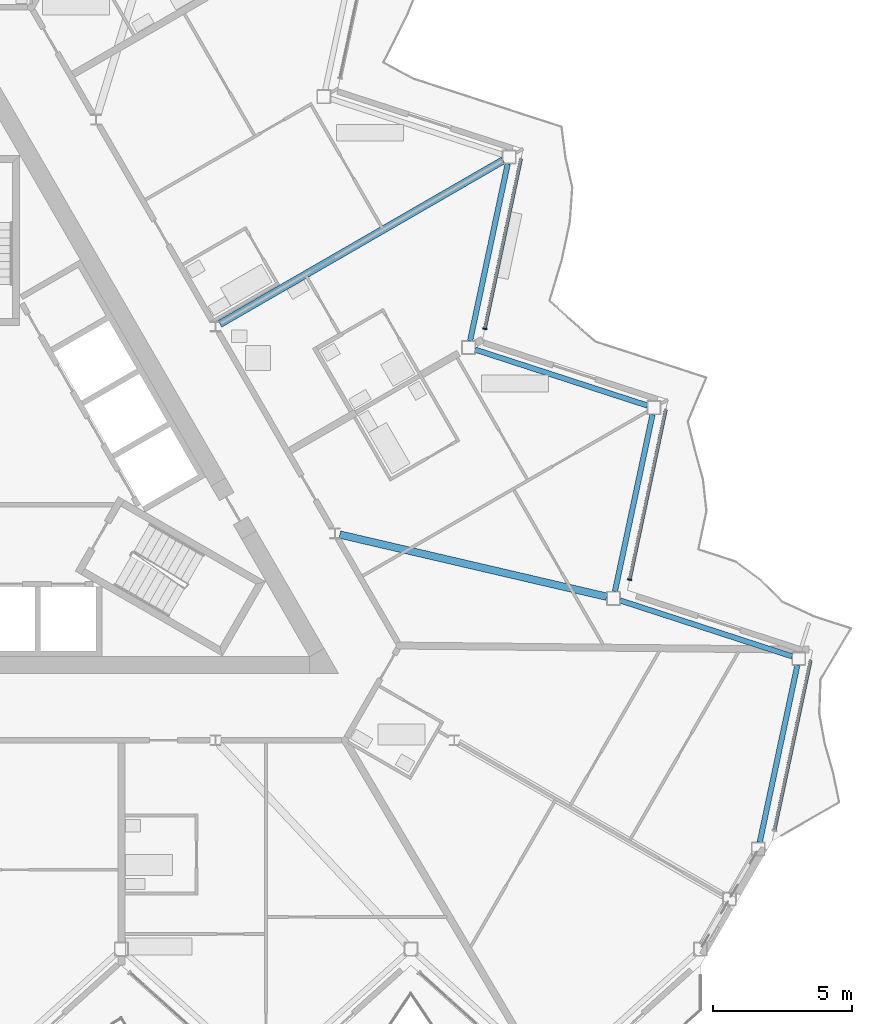
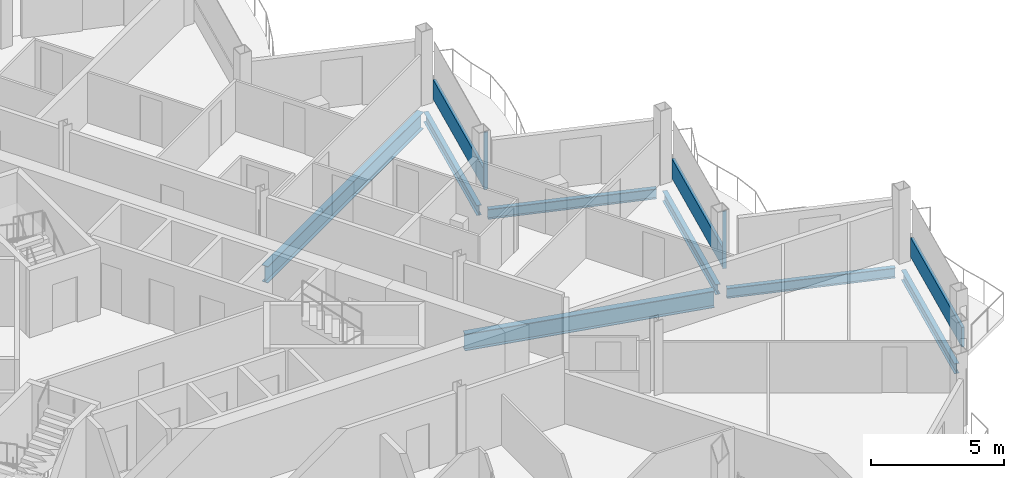
# One storey, part 8 of 26: 7 beams, 5 members, 3 elements without a shape of their own.
"""IFC4 building model written with IfcOpenShell, lengths in metres."""

from ifc_helpers import new_model, si_unit, direction, frame, origin, origin_2d, place, context, subcontext, project, spatial, rectangle, i_section, extrude, material, layer, layer_set, material_profile, profile_set, type_object, element, aggregate, save


model = new_model("IFC4")

# Units and contexts
model_context = context("Model", 3, precision=1e-05, world=origin(), true_north=direction((0.0, 1.0)))
body_context = subcontext(model_context, "Body", "Model", "MODEL_VIEW")
ifc_project = project(units=[si_unit("LENGTHUNIT", "METRE"), si_unit("AREAUNIT", "SQUARE_METRE"), si_unit("VOLUMEUNIT", "CUBIC_METRE"), si_unit("PLANEANGLEUNIT", "RADIAN"), si_unit("MASSUNIT", "GRAM", prefix="KILO")], contexts=[model_context])

# Site, building, storey
site_placement = place(None, origin())
site = spatial("IfcSite", under=ifc_project, at=site_placement, CompositionType="ELEMENT")
building_placement = place(site_placement, origin())
building = spatial("IfcBuilding", under=site, at=building_placement, Name="Cormorant Prow Tower", CompositionType="ELEMENT")
storey_placement = place(building_placement, frame((0.0, 0.0, 371.199951171875)))
storey = spatial("IfcBuildingStorey", under=building, at=storey_placement, Name="L83", CompositionType="ELEMENT", Elevation=371.199951171875)

# Beams
ifc_material_1 = material(Name="Structural steel ASTM A992 Gr 50", Category="steel")
ifc_material_profile_1 = material_profile(ifc_material_1, i_section(OverallWidth=0.267822265625, OverallDepth=0.77001953125, WebThickness=0.015625, FlangeThickness=0.025390625, at=origin_2d()), Name="W30x132")
ifc_profile_set_1 = profile_set([ifc_material_profile_1], Name="Structural steel ASTM A992 Gr 50")
beam_type_1 = type_object("IfcBeamType", Name="Radial floor beam W30x132", PredefinedType="BEAM", material=ifc_profile_set_1)
beam_1_placement = place(storey_placement, frame((13.0498046875, -2.518798828125, -0.684814453125), z_axis=(0.973926084128, -0.226865560752, 0.0), x_axis=(0.226865560752, 0.973926084128, 0.0)))
element("IfcBeam", 1, at=beam_1_placement, inside=storey, type_object=beam_type_1, Name="Radial floor beam FB3 10 L83", PredefinedType="BEAM", context=body_context, shape_type="SweptSolid", body=[
    extrude(i_section(OverallWidth=0.267822265625, OverallDepth=0.77001953125, WebThickness=0.015625, FlangeThickness=0.025390625, at=origin_2d()), origin(), (0.0, 0.0, 1.0), 9.837158203125),
])
beam_2_placement = place(storey_placement, frame((8.740478515625, 5.04638671875, -0.684814453125), z_axis=(0.866026702285, 0.499997750924, 0.0), x_axis=(-0.499997750924, 0.866026702285, 0.0)))
element("IfcBeam", 2, at=beam_2_placement, inside=storey, type_object=beam_type_1, Name="Radial floor beam FB3 11 L83", PredefinedType="BEAM", context=body_context, shape_type="SweptSolid", body=[
    extrude(i_section(OverallWidth=0.267822265625, OverallDepth=0.77001953125, WebThickness=0.015625, FlangeThickness=0.025390625, at=origin_2d()), origin(), (0.0, 0.0, 1.0), 11.7451171875),
])

# Curtain wall, member
ifc_material_2 = material(Name="Aluminium 6063-T6", Category="aluminium")
ifc_layer = layer(ifc_material_2, 0.159912109375)
ifc_layer_set = layer_set([ifc_layer], Name="Aluminium 6063-T6")
curtain_wall_type = type_object("IfcCurtainWallType", Name="Residential unitised curtain wall 160", PredefinedType="NOTDEFINED", material=ifc_layer_set)
curtain_wall_1_placement = place(storey_placement, origin())
curtain_wall_1 = element("IfcCurtainWall", 3, at=curtain_wall_1_placement, inside=storey, type_object=curtain_wall_type, Name="Residential curtain wall ENE02", PredefinedType="NOTDEFINED")
ifc_material_3 = material(Name="Aluminium 6063-T6", Category="aluminium")
ifc_material_profile_2 = material_profile(ifc_material_3, rectangle(XDim=0.159912109375, YDim=0.050048828125, at=origin_2d()), Name="Residential mullion 50x160")
ifc_profile_set_2 = profile_set([ifc_material_profile_2], Name="Aluminium 6063-T6")
member_type_1 = type_object("IfcMemberType", Name="Residential mullion 50x160", PredefinedType="MULLION", material=ifc_profile_set_2)
member_1_placement = place(storey_placement, frame((23.45556640625, -4.1357421875, 0.0), z_axis=(0.0, 0.0, 1.0), x_axis=(-0.978147609588, 0.207911649162, 0.0)))
member_1 = element("IfcMember", 4, at=member_1_placement, type_object=member_type_1, Name="Residential mullion ENE02", PredefinedType="MULLION", context=body_context, shape_type="SweptSolid", body=[
    extrude(rectangle(XDim=0.159912109375, YDim=0.050048828125, at=origin_2d()), origin(), (0.0, 0.0, 1.0), 2.634033203125),
])

curtain_wall_2_placement = place(storey_placement, origin())
curtain_wall_2 = element("IfcCurtainWall", 5, at=curtain_wall_2_placement, inside=storey, type_object=curtain_wall_type, Name="Residential curtain wall ENE04", PredefinedType="NOTDEFINED")
member_2_placement = place(storey_placement, frame((18.25537109375, 4.870849609375, 0.0), z_axis=(0.0, 0.0, 1.0), x_axis=(-0.978147615768, 0.207911620089, 0.0)))
member_2 = element("IfcMember", 6, at=member_2_placement, type_object=member_type_1, Name="Residential mullion ENE04", PredefinedType="MULLION", context=body_context, shape_type="SweptSolid", body=[
    extrude(rectangle(XDim=0.159912109375, YDim=0.050048828125, at=origin_2d()), origin(), (0.0, 0.0, 1.0), 2.634033203125),
])

curtain_wall_3_placement = place(storey_placement, origin())
curtain_wall_3 = element("IfcCurtainWall", 7, at=curtain_wall_3_placement, inside=storey, type_object=curtain_wall_type, Name="Residential curtain wall ENE00", PredefinedType="NOTDEFINED")
ifc_material_4 = material(Name="Terracotta", Category="masonry")
ifc_material_profile_3 = material_profile(ifc_material_4, rectangle(XDim=0.1201171875, YDim=0.89990234375, at=origin_2d()), Name="Residential terracotta spandrel rail 120x900")
ifc_profile_set_3 = profile_set([ifc_material_profile_3], Name="Terracotta")
member_type_2 = type_object("IfcMemberType", Name="Residential terracotta spandrel rail 120x900", PredefinedType="USERDEFINED", material=ifc_profile_set_3)
member_3_placement = place(storey_placement, frame((28.66064453125, -13.117919921875, 0.449951171875), z_axis=(0.207916541247, 0.978146569731, 0.0), x_axis=(-0.978146569731, 0.207916541247, 0.0)))
member_3 = element("IfcMember", 8, at=member_3_placement, type_object=member_type_2, Name="Residential spandrel rail ENE00", ObjectType="TRANSOM", PredefinedType="USERDEFINED", context=body_context, shape_type="SweptSolid", body=[
    extrude(rectangle(XDim=0.1201171875, YDim=0.89990234375, at=origin_2d()), origin(), (0.0, 0.0, 1.0), 6.215087890625),
])
aggregate(curtain_wall_3, [member_3])

# Member
member_4_placement = place(storey_placement, frame((23.460693359375, -4.111328125, 0.449951171875), z_axis=(0.207916541247, 0.978146569731, 0.0), x_axis=(-0.978146569731, 0.207916541247, 0.0)))
member_4 = element("IfcMember", 9, at=member_4_placement, type_object=member_type_2, Name="Residential spandrel rail ENE02", ObjectType="TRANSOM", PredefinedType="USERDEFINED", context=body_context, shape_type="SweptSolid", body=[
    extrude(rectangle(XDim=0.1201171875, YDim=0.89990234375, at=origin_2d()), origin(), (0.0, 0.0, 1.0), 6.215087890625),
])

aggregate(curtain_wall_1, [member_1, member_4])

member_5_placement = place(storey_placement, frame((18.2607421875, 4.895263671875, 0.449951171875), z_axis=(0.207908552773, 0.978148267741, 0.0), x_axis=(-0.978148267741, 0.207908552773, 0.0)))
member_5 = element("IfcMember", 10, at=member_5_placement, type_object=member_type_2, Name="Residential spandrel rail ENE04", ObjectType="TRANSOM", PredefinedType="USERDEFINED", context=body_context, shape_type="SweptSolid", body=[
    extrude(rectangle(XDim=0.1201171875, YDim=0.89990234375, at=origin_2d()), origin(), (0.0, 0.0, 1.0), 6.21533203125),
])

aggregate(curtain_wall_2, [member_2, member_5])

# Beams
ifc_material_5 = material(Name="Structural steel ASTM A992 Gr 50", Category="steel")
ifc_material_profile_4 = material_profile(ifc_material_5, i_section(OverallWidth=0.19287109375, OverallDepth=0.466064453125, WebThickness=0.011474609375, FlangeThickness=0.01904296875, at=origin_2d()), Name="W18x65")
ifc_profile_set_4 = profile_set([ifc_material_profile_4], Name="Structural steel ASTM A992 Gr 50")
beam_type_2 = type_object("IfcBeamType", Name="Spandrel beam W18x65", PredefinedType="SPANDREL", material=ifc_profile_set_4)
beam_3_placement = place(storey_placement, frame((28.125732421875, -13.5693359375, -0.532958984375), z_axis=(0.207901897373, 0.978149682344, 0.0), x_axis=(-0.978149682344, 0.207901897373, 0.0)))
element("IfcBeam", 11, at=beam_3_placement, inside=storey, type_object=beam_type_2, Name="Spandrel beam SB4 ENE00-ENE01 L83", PredefinedType="SPANDREL", context=body_context, shape_type="SweptSolid", body=[
    extrude(i_section(OverallWidth=0.19287109375, OverallDepth=0.466064453125, WebThickness=0.011474609375, FlangeThickness=0.01904296875, at=origin_2d()), origin(), (0.0, 0.0, 1.0), 6.49755859375),
])
for number, where, z_axis, x_axis, name in (
    (12, (29.290771484375, -6.89208984375, -0.532958984375), (-0.951053396625, 0.309026595569, 0.0), (-0.309026595569, -0.951053396625, 0.0), "Spandrel beam SB4 ENE01-ENE02 L83"),
    (13, (22.92578125, -4.5625, -0.532958984375), (0.207909538847, 0.978148058147, 0.0), (-0.978148058147, 0.207909538847, 0.0), "Spandrel beam SB4 ENE02-ENE03 L83"),
    (14, (24.0908203125, 2.114501953125, -0.532958984375), (-0.951053396625, 0.309026595569, 0.0), (-0.309026595569, -0.951053396625, 0.0), "Spandrel beam SB4 ENE03-ENE04 L83"),
    (15, (17.725830078125, 4.444091796875, -0.532958984375), (0.207909538847, 0.978148058147, 0.0), (-0.978148058147, 0.207909538847, 0.0), "Spandrel beam SB4 ENE04-ENE05 L83"),
):
    element("IfcBeam", number, at=place(storey_placement, frame(where, z_axis=z_axis, x_axis=x_axis)), inside=storey, type_object=beam_type_2, Name=name, PredefinedType="SPANDREL", context=body_context, shape_type="SweptSolid", body=[
        extrude(i_section(OverallWidth=0.19287109375, OverallDepth=0.466064453125, WebThickness=0.011474609375, FlangeThickness=0.01904296875, at=origin_2d()), origin(), (0.0, 0.0, 1.0), 6.497314453125),
    ])

save(model, "model.ifc")
